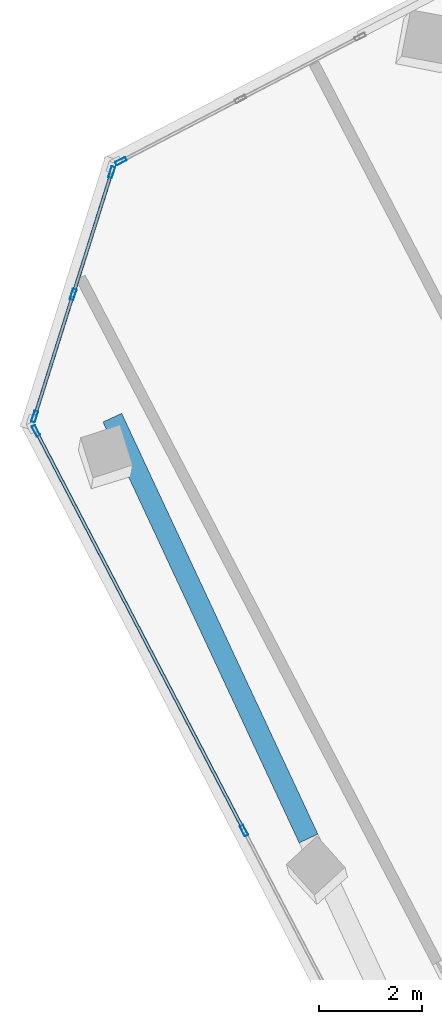
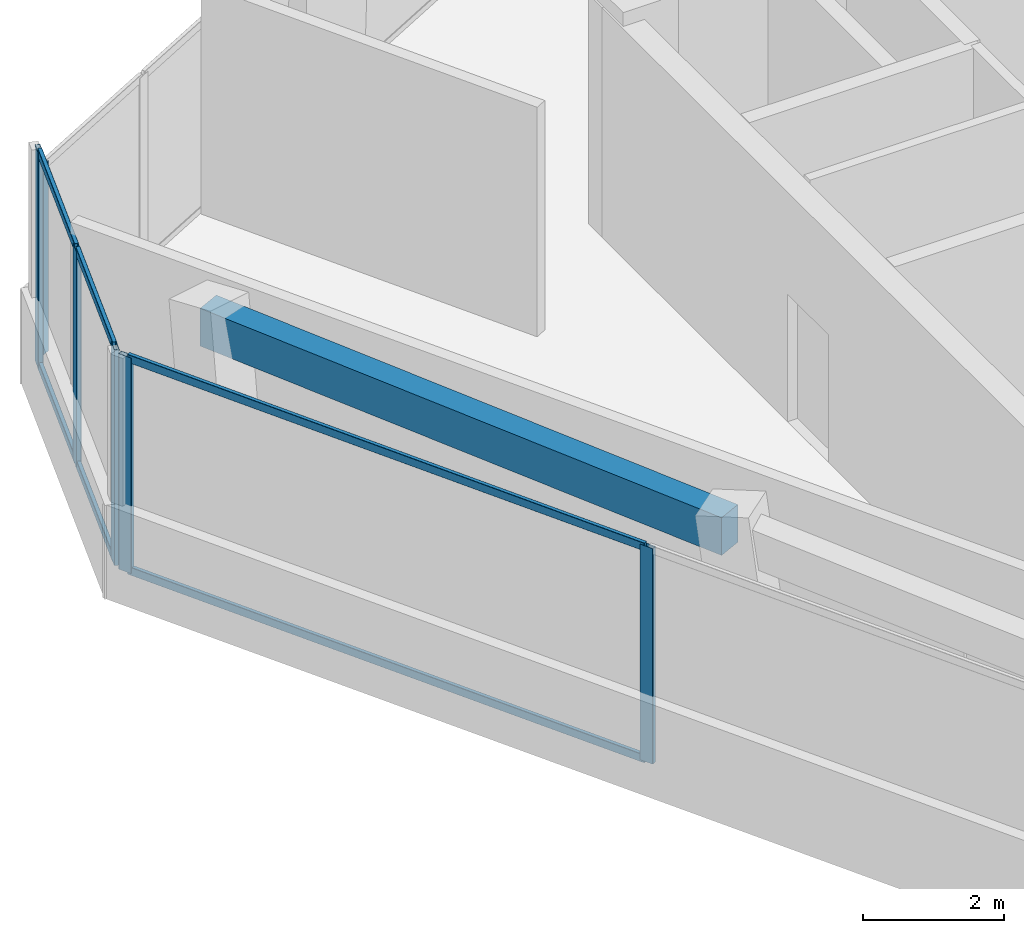
# One storey, part 5 of 16: 12 members, 1 beam, 3 elements without a shape of their own.
"""IFC4 building model written with IfcOpenShell, lengths in metres."""

from ifc_helpers import new_model, si_unit, direction, frame, origin, origin_2d, place, context, subcontext, project, spatial, rectangle, hollow_rectangle, extrude, source, transform, mapped, material, material_profile, profile_set, type_object, element, aggregate, save


model = new_model("IFC4")

# Units and contexts
model_context = context("Model", 3, precision=1e-05, world=origin(), true_north=direction((0.0, 1.0)))
body_context = subcontext(model_context, "Body", "Model", "MODEL_VIEW")
ifc_project = project(units=[si_unit("LENGTHUNIT", "METRE"), si_unit("AREAUNIT", "SQUARE_METRE"), si_unit("VOLUMEUNIT", "CUBIC_METRE"), si_unit("PLANEANGLEUNIT", "RADIAN"), si_unit("MASSUNIT", "GRAM", prefix="KILO")], contexts=[model_context])

# Site, building, storey
site_placement = place(None, origin())
site = spatial("IfcSite", under=ifc_project, at=site_placement, CompositionType="ELEMENT")
building_placement = place(site_placement, origin())
building = spatial("IfcBuilding", under=site, at=building_placement, Name="Torre Montelarca", CompositionType="ELEMENT")
storey_placement = place(building_placement, frame((0.0, 0.0, 336.60009765625)))
storey = spatial("IfcBuildingStorey", under=building, at=storey_placement, Name="L76", CompositionType="ELEMENT", Elevation=336.60009765625)

# Beam
ifc_material_1 = material(Name="Concrete C40/50", Category="concrete")
ifc_material_profile_1 = material_profile(ifc_material_1, rectangle(XDim=0.39990234375, YDim=0.64990234375, at=origin_2d()), Name="RCB400X650", Category="concrete")
ifc_profile_set_1 = profile_set([ifc_material_profile_1], Name="Concrete C40/50")
beam_type = type_object("IfcBeamType", Name="BM-SP-RC650-EXT", PredefinedType="SPANDREL", material=ifc_profile_set_1)
shared_shape_1 = source(origin(), body_context, "Body", "SweptSolid", [
    extrude(rectangle(XDim=0.39990234375, YDim=0.64990234375, at=origin_2d()), origin(), (0.0, 0.0, 1.0), 9.0),
])
beam_placement = place(storey_placement, frame((0.62890625, 36.059814453125, 3.635009765625), z_axis=(0.422610711302, -0.906311307826, 0.0), x_axis=(0.906311307826, 0.422610711302, 0.0)))
element("IfcBeam", 1, at=beam_placement, inside=storey, type_object=beam_type, Name="L76 Grid Girder X 9.0-18.0 at Y=14.8", PredefinedType="SPANDREL", context=body_context, shape_type="MappedRepresentation", body=[
    mapped(shared_shape_1, transform((0.0, 0.0, 0.0), scale=1.0)),
])

# Curtain wall, members
ifc_material_2 = material(Name="Insulated low-E laminated glass", Category="glass")
curtain_wall_type = type_object("IfcCurtainWallType", Name="CW-SYS-Z4", PredefinedType="USERDEFINED", material=ifc_material_2)
curtain_wall_1_placement = place(storey_placement, origin())
curtain_wall_1 = element("IfcCurtainWall", 2, at=curtain_wall_1_placement, inside=storey, type_object=curtain_wall_type, Name="L76 Curtain Wall Run CW-T3-L76-E01-B1", ObjectType="UNITISED GLAZING", PredefinedType="USERDEFINED")
ifc_material_3 = material(Name="Anodised aluminium AA 6063-T6", Category="aluminium")
ifc_material_profile_2 = material_profile(ifc_material_3, hollow_rectangle(XDim=0.074951171875, YDim=0.219970703125, WallThickness=0.0048828125, InnerFilletRadius=0.0048828125, OuterFilletRadius=0.010009765625, at=origin_2d()), Name="ALU75X220X5", Category="aluminium")
ifc_profile_set_2 = profile_set([ifc_material_profile_2], Name="Anodised aluminium AA 6063-T6")
member_type_1 = type_object("IfcMemberType", Name="CWM-ALU220", PredefinedType="MULLION", material=ifc_profile_set_2)
shared_shape_2 = source(origin(), body_context, "Body", "SweptSolid", [
    extrude(hollow_rectangle(XDim=0.074951171875, YDim=0.219970703125, WallThickness=0.0048828125, InnerFilletRadius=0.0048828125, OuterFilletRadius=0.010009765625, at=origin_2d()), origin(), (0.0, 0.0, 1.0), 3.719970703125),
])
member_1_placement = place(storey_placement, frame((-0.852783203125, 35.805419921875, 0.0), z_axis=(0.0, 0.0, 1.0), x_axis=(0.88701070836, 0.461748853009, 0.0)))
member_1 = element("IfcMember", 3, at=member_1_placement, type_object=member_type_1, Name="CW mullion 1", PredefinedType="MULLION", context=body_context, shape_type="MappedRepresentation", body=[
    mapped(shared_shape_2, transform((0.0, 0.0, 0.0), scale=1.0)),
])
member_2_placement = place(storey_placement, frame((3.181640625, 28.0556640625, 0.0), z_axis=(0.0, 0.0, 1.0), x_axis=(0.88701070836, 0.461748853009, 0.0)))
member_2 = element("IfcMember", 4, at=member_2_placement, type_object=member_type_1, Name="CW mullion 2", PredefinedType="MULLION", context=body_context, shape_type="MappedRepresentation", body=[
    mapped(shared_shape_2, transform((0.0, 0.0, 0.0), scale=1.0)),
])

curtain_wall_2_placement = place(storey_placement, origin())
curtain_wall_2 = element("IfcCurtainWall", 5, at=curtain_wall_2_placement, inside=storey, type_object=curtain_wall_type, Name="L76 Curtain Wall Run CW-T3-L76-E11-B1", ObjectType="UNITISED GLAZING", PredefinedType="USERDEFINED")
member_3_placement = place(storey_placement, frame((0.616943359375, 40.81787109375, 0.0), z_axis=(0.0, 0.0, 1.0), x_axis=(0.953721038655, -0.300692834013, 0.0)))
member_3 = element("IfcMember", 6, at=member_3_placement, type_object=member_type_1, Name="CW mullion 1", PredefinedType="MULLION", context=body_context, shape_type="MappedRepresentation", body=[
    mapped(shared_shape_2, transform((0.0, 0.0, 0.0), scale=1.0)),
])
member_4_placement = place(storey_placement, frame((-0.1298828125, 38.44921875, 0.0), z_axis=(0.0, 0.0, 1.0), x_axis=(0.953721038655, -0.300692834013, 0.0)))
member_4 = element("IfcMember", 7, at=member_4_placement, type_object=member_type_1, Name="CW mullion 2", PredefinedType="MULLION", context=body_context, shape_type="MappedRepresentation", body=[
    mapped(shared_shape_2, transform((0.0, 0.0, 0.0), scale=1.0)),
])
member_5_placement = place(storey_placement, frame((-0.876708984375, 36.08056640625, 0.0), z_axis=(0.0, 0.0, 1.0), x_axis=(0.953721038655, -0.300692834013, 0.0)))
member_5 = element("IfcMember", 8, at=member_5_placement, type_object=member_type_1, Name="CW mullion 3", PredefinedType="MULLION", context=body_context, shape_type="MappedRepresentation", body=[
    mapped(shared_shape_2, transform((0.0, 0.0, 0.0), scale=1.0)),
])
ifc_material_profile_3 = material_profile(ifc_material_3, hollow_rectangle(XDim=0.06494140625, YDim=0.139892578125, WallThickness=0.00390625, InnerFilletRadius=0.00390625, OuterFilletRadius=0.008056640625, at=origin_2d()), Name="ALU65X140X4", Category="aluminium")
ifc_profile_set_3 = profile_set([ifc_material_profile_3], Name="Anodised aluminium AA 6063-T6")
member_type_2 = type_object("IfcMemberType", Name="CWT-ALU140", PredefinedType="USERDEFINED", material=ifc_profile_set_3)
shared_shape_3 = source(origin(), body_context, "Body", "SweptSolid", [
    extrude(hollow_rectangle(XDim=0.06494140625, YDim=0.139892578125, WallThickness=0.00390625, InnerFilletRadius=0.00390625, OuterFilletRadius=0.008056640625, at=origin_2d()), origin(), (0.0, 0.0, 1.0), 2.40869140625),
])
member_6_placement = place(storey_placement, frame((-0.14111328125, 38.413330078125, 0.032470703125), z_axis=(-0.300738408504, -0.953706668557, 0.0), x_axis=(0.953706668557, -0.300738408504, 0.0)))
member_6 = element("IfcMember", 9, at=member_6_placement, type_object=member_type_2, Name="CW transom 2.1", ObjectType="TRANSOM", PredefinedType="USERDEFINED", context=body_context, shape_type="MappedRepresentation", body=[
    mapped(shared_shape_3, transform((0.0, 0.0, 0.0), scale=1.0)),
])
member_7_placement = place(storey_placement, frame((-0.14111328125, 38.413330078125, 3.6875), z_axis=(-0.300738408504, -0.953706668557, 0.0), x_axis=(0.953706668557, -0.300738408504, 0.0)))
member_7 = element("IfcMember", 10, at=member_7_placement, type_object=member_type_2, Name="CW transom 2.2", ObjectType="TRANSOM", PredefinedType="USERDEFINED", context=body_context, shape_type="MappedRepresentation", body=[
    mapped(shared_shape_3, transform((0.0, 0.0, 0.0), scale=1.0)),
])

# Curtain wall, member
curtain_wall_3_placement = place(storey_placement, origin())
curtain_wall_3 = element("IfcCurtainWall", 11, at=curtain_wall_3_placement, inside=storey, type_object=curtain_wall_type, Name="L76 Curtain Wall Run CW-T3-L76-E10-B3", ObjectType="UNITISED GLAZING", PredefinedType="USERDEFINED")
shared_shape_4 = source(origin(), body_context, "Body", "SweptSolid", [
    extrude(hollow_rectangle(XDim=0.074951171875, YDim=0.219970703125, WallThickness=0.0048828125, InnerFilletRadius=0.0048828125, OuterFilletRadius=0.010009765625, at=origin_2d()), origin(), (0.0, 0.0, 1.0), 3.27490234375),
])
member_8_placement = place(storey_placement, frame((0.79443359375, 41.029541015625, 0.0), z_axis=(0.0, 0.0, 1.0), x_axis=(0.46173914052, -0.887015764297, 0.0)))
member_8 = element("IfcMember", 12, at=member_8_placement, type_object=member_type_1, Name="CW mullion 3", PredefinedType="MULLION", context=body_context, shape_type="MappedRepresentation", body=[
    mapped(shared_shape_4, transform((0.0, 0.0, 0.0), scale=1.0)),
])
aggregate(curtain_wall_3, [member_8])

# Member
shared_shape_5 = source(origin(), body_context, "Body", "SweptSolid", [
    extrude(hollow_rectangle(XDim=0.06494140625, YDim=0.139892578125, WallThickness=0.00390625, InnerFilletRadius=0.00390625, OuterFilletRadius=0.008056640625, at=origin_2d()), origin(), (0.0, 0.0, 1.0), 2.408935546875),
])
member_9_placement = place(storey_placement, frame((0.605712890625, 40.7822265625, 0.032470703125), z_axis=(-0.300709339163, -0.953715834691, 0.0), x_axis=(0.953715834691, -0.300709339163, 0.0)))
member_9 = element("IfcMember", 13, at=member_9_placement, type_object=member_type_2, Name="CW transom 1.1", ObjectType="TRANSOM", PredefinedType="USERDEFINED", context=body_context, shape_type="MappedRepresentation", body=[
    mapped(shared_shape_5, transform((0.0, 0.0, 0.0), scale=1.0)),
])

member_10_placement = place(storey_placement, frame((0.605712890625, 40.7822265625, 3.6875), z_axis=(-0.300709339163, -0.953715834691, 0.0), x_axis=(0.953715834691, -0.300709339163, 0.0)))
member_10 = element("IfcMember", 14, at=member_10_placement, type_object=member_type_2, Name="CW transom 1.2", ObjectType="TRANSOM", PredefinedType="USERDEFINED", context=body_context, shape_type="MappedRepresentation", body=[
    mapped(shared_shape_5, transform((0.0, 0.0, 0.0), scale=1.0)),
])

aggregate(curtain_wall_2, [member_3, member_4, member_5, member_9, member_10, member_6, member_7])

shared_shape_6 = source(origin(), body_context, "Body", "SweptSolid", [
    extrude(hollow_rectangle(XDim=0.06494140625, YDim=0.139892578125, WallThickness=0.00390625, InnerFilletRadius=0.00390625, OuterFilletRadius=0.008056640625, at=origin_2d()), origin(), (0.0, 0.0, 1.0), 8.661865234375),
])
member_11_placement = place(storey_placement, frame((-0.83544921875, 35.77197265625, 0.032470703125), z_axis=(0.461765354338, -0.887002118111, 0.0), x_axis=(0.887002118111, 0.461765354338, 0.0)))
member_11 = element("IfcMember", 15, at=member_11_placement, type_object=member_type_2, Name="CW transom 1.1", ObjectType="TRANSOM", PredefinedType="USERDEFINED", context=body_context, shape_type="MappedRepresentation", body=[
    mapped(shared_shape_6, transform((0.0, 0.0, 0.0), scale=1.0)),
])

member_12_placement = place(storey_placement, frame((-0.83544921875, 35.77197265625, 3.6875), z_axis=(0.461765354338, -0.887002118111, 0.0), x_axis=(0.887002118111, 0.461765354338, 0.0)))
member_12 = element("IfcMember", 16, at=member_12_placement, type_object=member_type_2, Name="CW transom 1.2", ObjectType="TRANSOM", PredefinedType="USERDEFINED", context=body_context, shape_type="MappedRepresentation", body=[
    mapped(shared_shape_6, transform((0.0, 0.0, 0.0), scale=1.0)),
])

aggregate(curtain_wall_1, [member_1, member_2, member_11, member_12])

save(model, "model.ifc")
